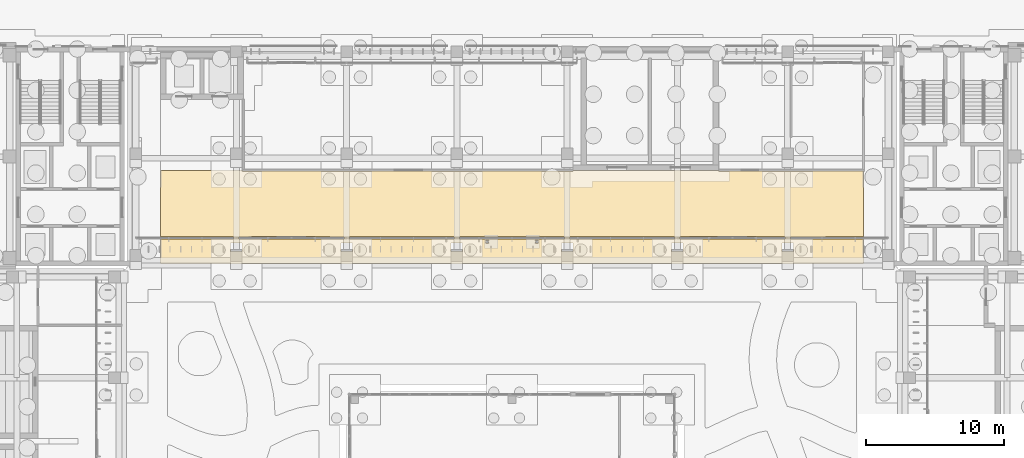
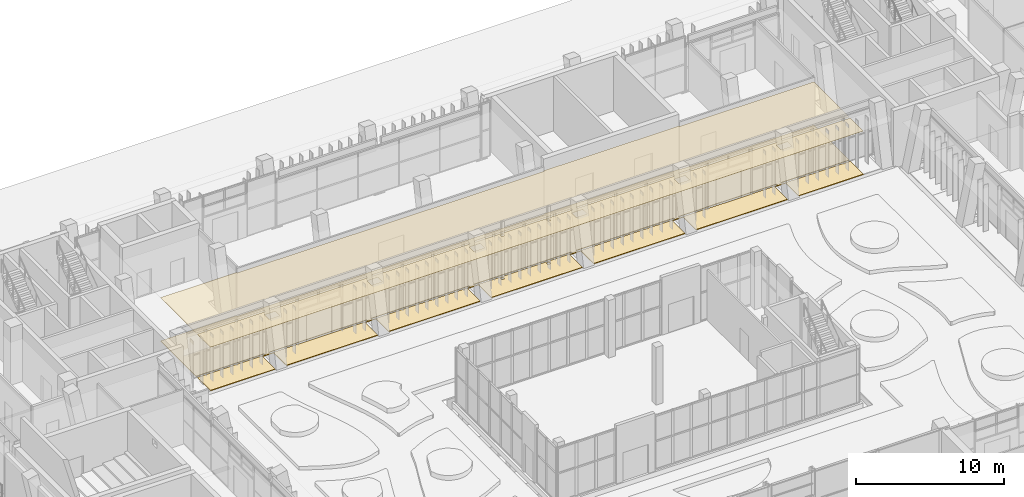
# One storey, part 134 of 144: 2 coverings.
"""IFC4 building model written with IfcOpenShell, lengths in metres."""

from ifc_helpers import new_model, si_unit, direction, frame, origin, place, context, subcontext, project, spatial, polyline, outline, extrude, material, layer, layer_set, type_object, element, save


model = new_model("IFC4")

# Units and contexts
model_context = context("Model", 3, precision=1e-05, world=origin(), true_north=direction((0.0, 1.0)))
body_context = subcontext(model_context, "Body", "Model", "MODEL_VIEW")
ifc_project = project(units=[si_unit("LENGTHUNIT", "METRE"), si_unit("AREAUNIT", "SQUARE_METRE"), si_unit("VOLUMEUNIT", "CUBIC_METRE"), si_unit("PLANEANGLEUNIT", "RADIAN"), si_unit("MASSUNIT", "GRAM", prefix="KILO")], contexts=[model_context])

# Site, building, storey
site_placement = place(None, origin())
site = spatial("IfcSite", under=ifc_project, at=site_placement, CompositionType="ELEMENT")
building_placement = place(site_placement, origin())
building = spatial("IfcBuilding", under=site, at=building_placement, Name="Lantern Court Media Centre", CompositionType="ELEMENT")
storey_placement = place(building_placement, origin())
storey = spatial("IfcBuildingStorey", under=building, at=storey_placement, Name="L00", CompositionType="ELEMENT", Elevation=0.0)

# Coverings
ifc_material_1 = material(Name="Mineral fibre ceiling tile")
ifc_layer_1 = layer(ifc_material_1, 0.02001953125)
ifc_layer_set_1 = layer_set([ifc_layer_1], Name="Mineral fibre ceiling tile")
covering_type_1 = type_object("IfcCoveringType", Name="Suspended ceiling tile", PredefinedType="CEILING", material=ifc_layer_set_1)
covering_1_placement = place(storey_placement, frame((0.0, 0.0, 3.60009765625)))
element("IfcCovering", 1, at=covering_1_placement, inside=storey, type_object=covering_type_1, Name="Production Gallery ceiling", PredefinedType="CEILING", context=body_context, shape_type="SweptSolid", body=[
    extrude(outline(polyline([(77.5, 96.300048828125), (26.5, 96.300048828125), (26.5, 98.074462890625), (31.800537109375, 98.074951171875), (31.800048828125, 98.2255859375), (26.5, 98.2255859375), (26.5, 103.050048828125), (32.43701171875, 103.050048828125), (32.4375, 102.987060546875), (56.425048828125, 102.987060546875), (56.425537109375, 103.049560546875), (67.00048828125, 103.050048828125), (67.0048828125, 102.987060546875), (77.5, 102.987060546875), (77.5, 98.2255859375), (72.199462890625, 98.22509765625), (72.199951171875, 98.074462890625), (77.5, 98.074462890625), (77.5, 96.300048828125)]), holes=[polyline([(72.425048828125, 97.174560546875), (72.42529296875, 97.777587890625), (71.574462890625, 97.77734375), (71.57470703125, 97.174560546875), (72.425048828125, 97.174560546875)]), polyline([(69.700439453125, 98.2255859375), (69.699951171875, 98.240478515625), (64.199951171875, 98.2255859375), (64.199462890625, 98.074951171875), (66.299560546875, 98.074462890625), (66.300048828125, 98.0595703125), (71.800537109375, 98.074951171875), (71.800048828125, 98.2255859375), (69.700439453125, 98.2255859375)]), polyline([(64.425048828125, 97.174560546875), (64.42529296875, 97.777587890625), (63.574462890625, 97.77734375), (63.57470703125, 97.174560546875), (64.425048828125, 97.174560546875)]), polyline([(56.199951171875, 98.2255859375), (56.199951171875, 98.074462890625), (63.800537109375, 98.074951171875), (63.800048828125, 98.2255859375), (56.199951171875, 98.2255859375)]), polyline([(56.425048828125, 97.174560546875), (56.42529296875, 97.777587890625), (55.574462890625, 97.77734375), (55.57470703125, 97.174560546875), (56.425048828125, 97.174560546875)]), polyline([(48.199951171875, 98.2255859375), (48.199951171875, 98.074462890625), (55.800537109375, 98.074951171875), (55.800048828125, 98.2255859375), (48.199951171875, 98.2255859375)]), polyline([(53.89990234375, 97.759521484375), (53.900390625, 97.96044921875), (53.69970703125, 97.96044921875), (53.69970703125, 97.759765625), (53.89990234375, 97.759521484375)]), polyline([(50.300048828125, 97.759521484375), (50.30029296875, 97.96044921875), (50.099609375, 97.96044921875), (50.099609375, 97.759765625), (50.300048828125, 97.759521484375)]), polyline([(48.425048828125, 97.174560546875), (48.42529296875, 97.777587890625), (47.574462890625, 97.77734375), (47.57470703125, 97.174560546875), (48.425048828125, 97.174560546875)]), polyline([(40.199951171875, 98.2255859375), (40.199951171875, 98.074462890625), (47.800537109375, 98.074951171875), (47.800048828125, 98.2255859375), (40.199951171875, 98.2255859375)]), polyline([(40.425048828125, 97.174560546875), (40.42529296875, 97.777587890625), (39.574462890625, 97.77734375), (39.57470703125, 97.174560546875), (40.425048828125, 97.174560546875)]), polyline([(37.700439453125, 98.2255859375), (37.699951171875, 98.240478515625), (32.199951171875, 98.2255859375), (32.199462890625, 98.074951171875), (34.299560546875, 98.074462890625), (34.300048828125, 98.0595703125), (39.800537109375, 98.074951171875), (39.800048828125, 98.2255859375), (37.700439453125, 98.2255859375)]), polyline([(32.425048828125, 97.174560546875), (32.42529296875, 97.777587890625), (31.574462890625, 97.77734375), (31.57470703125, 97.174560546875), (32.425048828125, 97.174560546875)])]), origin(), (0.0, 0.0, 1.0), 0.02001953125),
])
ifc_material_2 = material(Name="Terrazzo")
ifc_layer_2 = layer(ifc_material_2, 0.050048828125)
ifc_layer_set_2 = layer_set([ifc_layer_2], Name="Terrazzo")
covering_type_2 = type_object("IfcCoveringType", Name="Terrazzo floor finish", PredefinedType="FLOORING", material=ifc_layer_set_2)
covering_2_placement = place(storey_placement, origin())
element("IfcCovering", 2, at=covering_2_placement, inside=storey, type_object=covering_type_2, Name="Production Gallery floor finish", PredefinedType="FLOORING", context=body_context, shape_type="SweptSolid", body=[
    extrude(outline(polyline([(77.5, 96.300048828125), (72.429931640625, 96.300048828125), (72.425048828125, 98.030029296875), (71.570556640625, 98.02734375), (71.570068359375, 96.300048828125), (64.429931640625, 96.300048828125), (64.425048828125, 98.030029296875), (63.570556640625, 98.02734375), (63.570068359375, 96.300048828125), (56.429931640625, 96.300048828125), (56.425048828125, 98.030029296875), (55.570556640625, 98.02734375), (55.570068359375, 96.300048828125), (48.429931640625, 96.300048828125), (48.425048828125, 98.030029296875), (47.570556640625, 98.02734375), (47.570068359375, 96.300048828125), (40.429931640625, 96.300048828125), (40.425048828125, 98.030029296875), (39.570556640625, 98.02734375), (39.570068359375, 96.300048828125), (32.429931640625, 96.300048828125), (32.425048828125, 98.030029296875), (31.570556640625, 98.02734375), (31.570068359375, 96.300048828125), (26.5, 96.300048828125), (26.5, 98.070068359375), (31.804931640625, 98.074951171875), (31.800048828125, 98.22998046875), (26.5, 98.22998046875), (26.5, 103.050048828125), (32.4326171875, 103.050048828125), (32.4375, 102.982421875), (56.425048828125, 102.982421875), (56.429931640625, 103.044921875), (67.0, 103.044921875), (67.0048828125, 102.982421875), (77.5, 102.982421875), (77.5, 98.22998046875), (72.195068359375, 98.22509765625), (72.199951171875, 98.070068359375), (77.5, 98.070068359375), (77.5, 96.300048828125)]), holes=[polyline([(66.300048828125, 98.2451171875), (66.294921875, 98.22998046875), (64.199462890625, 98.22998046875), (64.195068359375, 98.074462890625), (66.294921875, 98.070068359375), (66.300048828125, 98.054931640625), (69.699951171875, 98.054931640625), (69.705078125, 98.070068359375), (71.804931640625, 98.074951171875), (71.800048828125, 98.22998046875), (66.300048828125, 98.2451171875)]), polyline([(56.199951171875, 98.22998046875), (56.199951171875, 98.070068359375), (63.804931640625, 98.074951171875), (63.800048828125, 98.22998046875), (56.199951171875, 98.22998046875)]), polyline([(48.199951171875, 98.22998046875), (48.199951171875, 98.070068359375), (55.804931640625, 98.074951171875), (55.800048828125, 98.22998046875), (48.199951171875, 98.22998046875)]), polyline([(53.695068359375, 97.760009765625), (53.903564453125, 97.75634765625), (53.903564453125, 97.963623046875), (53.696533203125, 97.963623046875), (53.695068359375, 97.760009765625)]), polyline([(50.094970703125, 97.760009765625), (50.303466796875, 97.75634765625), (50.303466796875, 97.963623046875), (50.096435546875, 97.963623046875), (50.094970703125, 97.760009765625)]), polyline([(40.199951171875, 98.22998046875), (40.199951171875, 98.070068359375), (47.804931640625, 98.074951171875), (47.800048828125, 98.22998046875), (40.199951171875, 98.22998046875)]), polyline([(34.294921875, 98.070068359375), (34.300048828125, 98.054931640625), (39.800048828125, 98.070068359375), (39.804931640625, 98.22509765625), (37.705078125, 98.22998046875), (37.699951171875, 98.2451171875), (34.300048828125, 98.2451171875), (34.294921875, 98.22998046875), (32.195068359375, 98.2255859375), (32.199462890625, 98.070068359375), (34.294921875, 98.070068359375)])]), origin(), (0.0, 0.0, 1.0), 0.050048828125),
])

save(model, "model.ifc")
